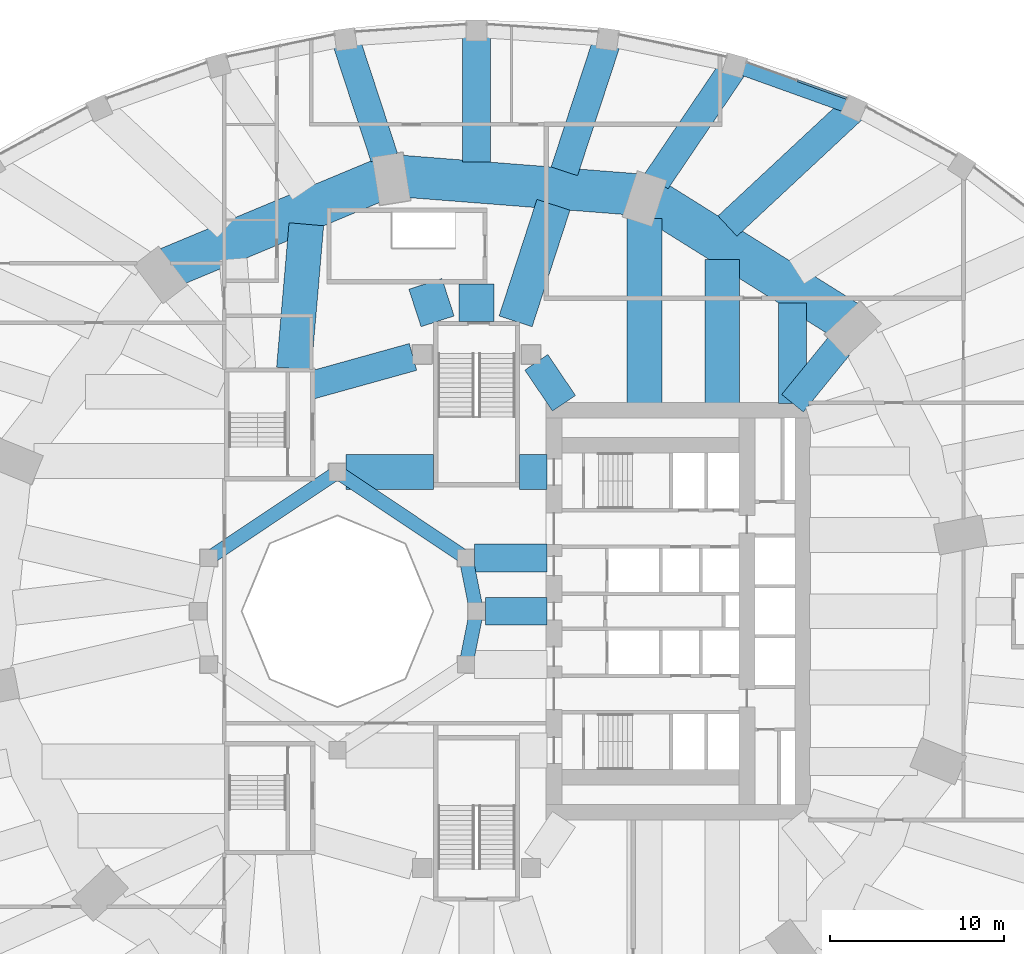
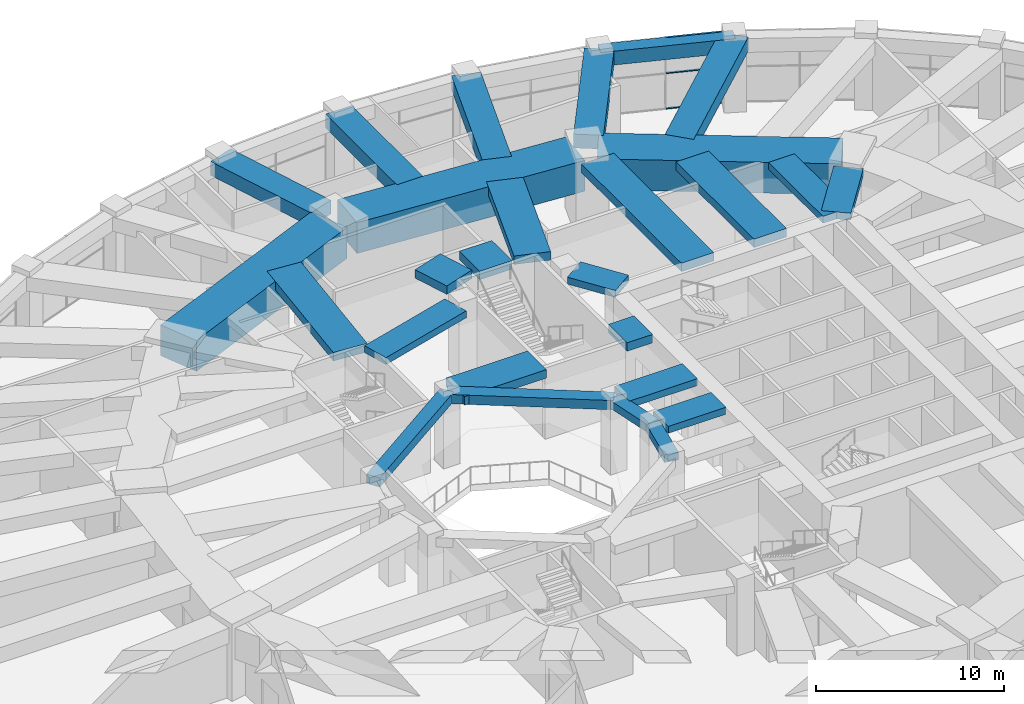
# One storey, part 11 of 30: 27 beams, 3 members, 1 element without a shape of its own.
"""IFC4 building model written with IfcOpenShell, lengths in metres."""

from ifc_helpers import new_model, si_unit, direction, frame, origin, origin_2d, place, context, subcontext, project, spatial, rectangle, extrude, material, material_profile, profile_set, type_object, element, aggregate, save


model = new_model("IFC4")

# Units and contexts
model_context = context("Model", 3, precision=1e-05, world=origin(), true_north=direction((0.0, 1.0)))
body_context = subcontext(model_context, "Body", "Model", "MODEL_VIEW")
ifc_project = project(units=[si_unit("LENGTHUNIT", "METRE"), si_unit("AREAUNIT", "SQUARE_METRE"), si_unit("VOLUMEUNIT", "CUBIC_METRE"), si_unit("PLANEANGLEUNIT", "RADIAN"), si_unit("MASSUNIT", "GRAM", prefix="KILO")], contexts=[model_context])

# Site, building, storey
site_placement = place(None, origin())
site = spatial("IfcSite", under=ifc_project, at=site_placement, CompositionType="ELEMENT")
building_placement = place(site_placement, origin())
building = spatial("IfcBuilding", under=site, at=building_placement, Name="Taillehof Tower", CompositionType="ELEMENT")
storey_placement = place(building_placement, frame((0.0, 0.0, 12.5)))
storey = spatial("IfcBuildingStorey", under=building, at=storey_placement, Name="L02", CompositionType="ELEMENT", Elevation=12.5)

# Beams
ifc_material_1 = material(Name="Concrete C50/60", Category="concrete")
ifc_material_profile_1 = material_profile(ifc_material_1, rectangle(XDim=0.800048828125, YDim=0.5, at=origin_2d()), Name="RC 800x500")
ifc_profile_set_1 = profile_set([ifc_material_profile_1], Name="Concrete C50/60")
beam_type_1 = type_object("IfcBeamType", Name="Atrium ring beam C50/60 800x500", PredefinedType="BEAM", material=ifc_profile_set_1)
for number, where, z_axis, x_axis, name in (
    (1, (0.0, 0.0, 4.39990234375), (-0.195063155143, 0.980790683839, 0.0), (-0.980790683839, -0.195063155143, 0.0), "Atrium ring beam AB01"),
    (2, (-0.60888671875, -3.0615234375, 4.39990234375), (0.195063155143, 0.980790683839, 0.0), (-0.980790683839, 0.195063155143, 0.0), "Atrium ring beam AB08"),
):
    element("IfcBeam", number, at=place(storey_placement, frame(where, z_axis=z_axis, x_axis=x_axis)), inside=storey, type_object=beam_type_1, Name=name, PredefinedType="BEAM", context=body_context, shape_type="SweptSolid", body=[
        extrude(rectangle(XDim=0.800048828125, YDim=0.5, at=origin_2d()), origin(), (0.0, 0.0, 1.0), 3.12158203125),
    ])
ifc_material_2 = material(Name="Concrete C50/60", Category="concrete")
ifc_material_profile_2 = material_profile(ifc_material_2, rectangle(XDim=0.800048828125, YDim=0.60009765625, at=origin_2d()), Name="RC 800x600")
ifc_profile_set_2 = profile_set([ifc_material_profile_2], Name="Concrete C50/60")
beam_type_2 = type_object("IfcBeamType", Name="Atrium ring beam C50/60 800x600", PredefinedType="BEAM", material=ifc_profile_set_2)
for number, where, z_axis, x_axis, name in (
    (3, (-0.60888671875, 3.0615234375, 4.35009765625), (-0.831475195687, 0.555561876804, 0.0), (-0.555561876804, -0.831475195687, 0.0), "Atrium ring beam AB02"),
    (4, (-8.0, 8.0, 4.35009765625), (-0.831475195687, -0.555561876804, 0.0), (0.555561876804, -0.831475195687, 0.0), "Atrium ring beam AB03"),
):
    element("IfcBeam", number, at=place(storey_placement, frame(where, z_axis=z_axis, x_axis=x_axis)), inside=storey, type_object=beam_type_2, Name=name, PredefinedType="BEAM", context=body_context, shape_type="SweptSolid", body=[
        extrude(rectangle(XDim=0.800048828125, YDim=0.60009765625, at=origin_2d()), origin(), (0.0, 0.0, 1.0), 8.88916015625),
    ])
ifc_material_3 = material(Name="Concrete C50/60", Category="concrete")
ifc_material_profile_3 = material_profile(ifc_material_3, rectangle(XDim=0.800048828125, YDim=0.89990234375, at=origin_2d()), Name="RC 800x900")
ifc_profile_set_3 = profile_set([ifc_material_profile_3], Name="Concrete C50/60")
beam_type_3 = type_object("IfcBeamType", Name="Podium edge beam C50/60 800x900", PredefinedType="BEAM", material=ifc_profile_set_3)
beam_1_placement = place(storey_placement, frame((21.699951171875, 28.92529296875, 4.199951171875), z_axis=(-0.941227460002, 0.337773398209, 0.0), x_axis=(-0.337773398209, -0.941227460002, 0.0)))
element("IfcBeam", 5, at=beam_1_placement, inside=storey, type_object=beam_type_3, Name="Podium edge beam PB07", PredefinedType="BEAM", context=body_context, shape_type="SweptSolid", body=[
    extrude(rectangle(XDim=0.800048828125, YDim=0.89990234375, at=origin_2d()), origin(), (0.0, 0.0, 1.0), 7.284423828125),
])
ifc_material_4 = material(Name="Concrete C50/60", Category="concrete")
ifc_material_profile_4 = material_profile(ifc_material_4, rectangle(XDim=1.60009765625, YDim=0.89990234375, at=origin_2d()), Name="RC 1600x900")
ifc_profile_set_4 = profile_set([ifc_material_profile_4], Name="Concrete C50/60")
beam_type_4 = type_object("IfcBeamType", Name="Podium radial beam C50/60 1600x900", PredefinedType="BEAM", material=ifc_profile_set_4)
beam_2_placement = place(storey_placement, frame((21.699951171875, 28.92529296875, 4.199951171875), z_axis=(-0.73162271707, -0.681709762191, 0.0), x_axis=(0.681709762191, -0.73162271707, 0.0)))
element("IfcBeam", 6, at=beam_2_placement, inside=storey, type_object=beam_type_4, Name="Podium radial beam PR07", PredefinedType="BEAM", context=body_context, shape_type="SweptSolid", body=[
    extrude(rectangle(XDim=1.60009765625, YDim=0.89990234375, at=origin_2d()), origin(), (0.0, 0.0, 1.0), 9.939208984375),
])
beam_3_placement = place(storey_placement, frame((14.84375, 31.3857421875, 4.199951171875), z_axis=(-0.560389186036, -0.828229412768, 0.0), x_axis=(0.828229412768, -0.560389186036, 0.0)))
element("IfcBeam", 7, at=beam_3_placement, inside=storey, type_object=beam_type_4, Name="Podium radial beam PR08", PredefinedType="BEAM", context=body_context, shape_type="SweptSolid", body=[
    extrude(rectangle(XDim=1.60009765625, YDim=0.89990234375, at=origin_2d()), origin(), (0.0, 0.0, 1.0), 8.023193359375),
])
beam_4_placement = place(storey_placement, frame((7.536376953125, 32.892578125, 4.199951171875), z_axis=(-0.311458886976, -0.950259628588, 0.0), x_axis=(0.950259628588, -0.311458886976, 0.0)))
element("IfcBeam", 8, at=beam_4_placement, inside=storey, type_object=beam_type_4, Name="Podium radial beam PR09", PredefinedType="BEAM", context=body_context, shape_type="SweptSolid", body=[
    extrude(rectangle(XDim=1.60009765625, YDim=0.89990234375, at=origin_2d()), origin(), (0.0, 0.0, 1.0), 7.992919921875),
])
beam_5_placement = place(storey_placement, frame((0.0, 33.39990234375, 4.199951171875), z_axis=(0.0, -1.0, 0.0), x_axis=(1.0, 0.0, 0.0)))
element("IfcBeam", 9, at=beam_5_placement, inside=storey, type_object=beam_type_4, Name="Podium radial beam PR10", PredefinedType="BEAM", context=body_context, shape_type="SweptSolid", body=[
    extrude(rectangle(XDim=1.60009765625, YDim=0.89990234375, at=origin_2d()), origin(), (0.0, 0.0, 1.0), 7.5771484375),
])
beam_6_placement = place(storey_placement, frame((-7.536376953125, 32.892578125, 4.199951171875), z_axis=(0.311476972049, -0.9502537008, 0.0), x_axis=(0.9502537008, 0.311476972049, 0.0)))
element("IfcBeam", 10, at=beam_6_placement, inside=storey, type_object=beam_type_4, Name="Podium radial beam PR11", PredefinedType="BEAM", context=body_context, shape_type="SweptSolid", body=[
    extrude(rectangle(XDim=1.60009765625, YDim=0.89990234375, at=origin_2d()), origin(), (0.0, 0.0, 1.0), 7.159423828125),
])

# Curtain wall, members
ifc_material_5 = material(Name="Aluminium curtain wall with Clear low-emissivity double glazing", Category="aluminium")
curtain_wall_type = type_object("IfcCurtainWallType", Name="Podium window wall curtain wall", PredefinedType="USERDEFINED", material=ifc_material_5)
curtain_wall_placement = place(storey_placement, origin())
curtain_wall = element("IfcCurtainWall", 11, at=curtain_wall_placement, inside=storey, type_object=curtain_wall_type, Name="Podium window wall L02 bay 7", ObjectType="WINDOW WALL", PredefinedType="USERDEFINED")
ifc_material_6 = material(Name="Aluminium transom", Category="aluminium")
ifc_material_profile_5 = material_profile(ifc_material_6, rectangle(XDim=0.1201171875, YDim=0.06005859375, at=origin_2d()), Name="AL 120x60")
ifc_profile_set_5 = profile_set([ifc_material_profile_5], Name="Aluminium transom")
member_type = type_object("IfcMemberType", Name="Podium window wall transom 120x60", PredefinedType="USERDEFINED", material=ifc_profile_set_5)
member_1_placement = place(storey_placement, frame((21.26806640625, 29.50341796875, 0.030029296875), z_axis=(-0.941215836147, 0.337805787081, 0.0), x_axis=(-0.337805787081, -0.941215836147, 0.0)))
member_1 = element("IfcMember", 12, at=member_1_placement, type_object=member_type, Name="CT207 transom 1.1", ObjectType="TRANSOM", PredefinedType="USERDEFINED", context=body_context, shape_type="SweptSolid", body=[
    extrude(rectangle(XDim=0.1201171875, YDim=0.06005859375, at=origin_2d()), origin(), (0.0, 0.0, 1.0), 3.009521484375),
])
member_2_placement = place(storey_placement, frame((21.26806640625, 29.50341796875, 2.324951171875), z_axis=(-0.941215836147, 0.337805787081, 0.0), x_axis=(-0.337805787081, -0.941215836147, 0.0)))
member_2 = element("IfcMember", 13, at=member_2_placement, type_object=member_type, Name="CT207 transom 1.2", ObjectType="TRANSOM", PredefinedType="USERDEFINED", context=body_context, shape_type="SweptSolid", body=[
    extrude(rectangle(XDim=0.1201171875, YDim=0.06005859375, at=origin_2d()), origin(), (0.0, 0.0, 1.0), 3.009521484375),
])
member_3_placement = place(storey_placement, frame((21.26806640625, 29.50341796875, 4.6201171875), z_axis=(-0.941215836147, 0.337805787081, 0.0), x_axis=(-0.337805787081, -0.941215836147, 0.0)))
member_3 = element("IfcMember", 14, at=member_3_placement, type_object=member_type, Name="CT207 transom 1.3", ObjectType="TRANSOM", PredefinedType="USERDEFINED", context=body_context, shape_type="SweptSolid", body=[
    extrude(rectangle(XDim=0.1201171875, YDim=0.06005859375, at=origin_2d()), origin(), (0.0, 0.0, 1.0), 3.009521484375),
])
aggregate(curtain_wall, [member_1, member_2, member_3])

# Beams
ifc_material_7 = material(Name="Concrete C50/60", Category="concrete")
ifc_material_profile_6 = material_profile(ifc_material_7, rectangle(XDim=1.60009765625, YDim=0.449951171875, at=origin_2d()), Name="RC 1600x450")
ifc_profile_set_6 = profile_set([ifc_material_profile_6], Name="Concrete C50/60")
beam_type_5 = type_object("IfcBeamType", Name="Radial band beam C50/60 1600x450", PredefinedType="BEAM", material=ifc_profile_set_6)
beam_7_placement = place(storey_placement, frame((20.820068359375, 15.221435546875, 4.425048828125), z_axis=(-0.630973107709, -0.775804703098, 0.0), x_axis=(0.775804703098, -0.630973107709, 0.0)))
element("IfcBeam", 15, at=beam_7_placement, inside=storey, type_object=beam_type_5, Name="Radial band beam RB05", PredefinedType="BEAM", context=body_context, shape_type="SweptSolid", body=[
    extrude(rectangle(XDim=1.60009765625, YDim=0.449951171875, at=origin_2d()), origin(), (0.0, 0.0, 1.0), 4.202392578125),
])
beam_8_placement = place(storey_placement, frame((18.15869140625, 17.7333984375, 4.425048828125), z_axis=(0.0, -1.0, 0.0), x_axis=(1.0, 0.0, 0.0)))
element("IfcBeam", 16, at=beam_8_placement, inside=storey, type_object=beam_type_5, Name="Radial band beam RB06", PredefinedType="BEAM", context=body_context, shape_type="SweptSolid", body=[
    extrude(rectangle(XDim=1.60009765625, YDim=0.449951171875, at=origin_2d()), origin(), (0.0, 0.0, 1.0), 5.783447265625),
])
beam_9_placement = place(storey_placement, frame((0.5, 0.0, 4.425048828125), z_axis=(1.0, 0.0, 0.0), x_axis=(0.0, 1.0, 0.0)))
element("IfcBeam", 17, at=beam_9_placement, inside=storey, type_object=beam_type_5, Name="Inner band beam IB101", PredefinedType="BEAM", context=body_context, shape_type="SweptSolid", body=[
    extrude(rectangle(XDim=1.60009765625, YDim=0.449951171875, at=origin_2d()), origin(), (0.0, 0.0, 1.0), 3.550048828125),
])
beam_10_placement = place(storey_placement, frame((-0.10888671875, 3.0615234375, 4.425048828125), z_axis=(1.0, 0.0, 0.0), x_axis=(0.0, 1.0, 0.0)))
element("IfcBeam", 18, at=beam_10_placement, inside=storey, type_object=beam_type_5, Name="Inner band beam IB102", PredefinedType="BEAM", context=body_context, shape_type="SweptSolid", body=[
    extrude(rectangle(XDim=1.60009765625, YDim=0.449951171875, at=origin_2d()), origin(), (0.0, 0.0, 1.0), 4.158935546875),
])
beam_11_placement = place(storey_placement, frame((3.433837890625, 14.31640625, 4.425048828125), z_axis=(0.560112043398, -0.828416862962, 0.0), x_axis=(0.828416862962, 0.560112043398, 0.0)))
element("IfcBeam", 19, at=beam_11_placement, inside=storey, type_object=beam_type_5, Name="Inner band beam IB205", PredefinedType="BEAM", context=body_context, shape_type="SweptSolid", body=[
    extrude(rectangle(XDim=1.60009765625, YDim=0.449951171875, at=origin_2d()), origin(), (0.0, 0.0, 1.0), 2.84619140625),
])
beam_12_placement = place(storey_placement, frame((-3.655517578125, 14.624755859375, 4.425048828125), z_axis=(-0.963459369536, -0.267854518821, 0.0), x_axis=(0.267854518821, -0.963459369536, 0.0)))
element("IfcBeam", 20, at=beam_12_placement, inside=storey, type_object=beam_type_5, Name="Inner band beam IB206", PredefinedType="BEAM", context=body_context, shape_type="SweptSolid", body=[
    extrude(rectangle(XDim=1.60009765625, YDim=0.449951171875, at=origin_2d()), origin(), (0.0, 0.0, 1.0), 6.096923828125),
])
ifc_material_8 = material(Name="Concrete C50/60", Category="concrete")
ifc_material_profile_7 = material_profile(ifc_material_8, rectangle(XDim=2.0, YDim=0.550048828125, at=origin_2d()), Name="RC 2000x550")
ifc_profile_set_7 = profile_set([ifc_material_profile_7], Name="Concrete C50/60")
beam_type_6 = type_object("IfcBeamType", Name="Radial band beam C50/60 2000x550", PredefinedType="BEAM", material=ifc_profile_set_7)
beam_13_placement = place(storey_placement, frame((14.125, 20.23974609375, 4.375), z_axis=(0.0, -1.0, 0.0), x_axis=(1.0, 0.0, 0.0)))
element("IfcBeam", 21, at=beam_13_placement, inside=storey, type_object=beam_type_6, Name="Radial band beam RB07", PredefinedType="BEAM", context=body_context, shape_type="SweptSolid", body=[
    extrude(rectangle(XDim=2.0, YDim=0.550048828125, at=origin_2d()), origin(), (0.0, 0.0, 1.0), 8.289794921875),
])
beam_14_placement = place(storey_placement, frame((9.662109375, 22.5859375, 4.375), z_axis=(0.0, -1.0, 0.0), x_axis=(1.0, 0.0, 0.0)))
element("IfcBeam", 22, at=beam_14_placement, inside=storey, type_object=beam_type_6, Name="Radial band beam RB08", PredefinedType="BEAM", context=body_context, shape_type="SweptSolid", body=[
    extrude(rectangle(XDim=2.0, YDim=0.550048828125, at=origin_2d()), origin(), (0.0, 0.0, 1.0), 10.635986328125),
])
beam_15_placement = place(storey_placement, frame((4.420166015625, 23.372314453125, 4.375), z_axis=(-0.309016354493, -0.951056724205, 0.0), x_axis=(0.951056724205, -0.309016354493, 0.0)))
element("IfcBeam", 23, at=beam_15_placement, inside=storey, type_object=beam_type_6, Name="Radial band beam RB09", PredefinedType="BEAM", context=body_context, shape_type="SweptSolid", body=[
    extrude(rectangle(XDim=2.0, YDim=0.550048828125, at=origin_2d()), origin(), (0.0, 0.0, 1.0), 7.04736328125),
])
beam_16_placement = place(storey_placement, frame((0.0, 18.824951171875, 4.375), z_axis=(0.0, -1.0, 0.0), x_axis=(1.0, 0.0, 0.0)))
element("IfcBeam", 24, at=beam_16_placement, inside=storey, type_object=beam_type_6, Name="Radial band beam RB10", PredefinedType="BEAM", context=body_context, shape_type="SweptSolid", body=[
    extrude(rectangle(XDim=2.0, YDim=0.550048828125, at=origin_2d()), origin(), (0.0, 0.0, 1.0), 2.155029296875),
])
beam_17_placement = place(storey_placement, frame((-2.942626953125, 18.824951171875, 4.375), z_axis=(0.309010546837, -0.951058611203, 0.0), x_axis=(0.951058611203, 0.309010546837, 0.0)))
element("IfcBeam", 25, at=beam_17_placement, inside=storey, type_object=beam_type_6, Name="Radial band beam RB11", PredefinedType="BEAM", context=body_context, shape_type="SweptSolid", body=[
    extrude(rectangle(XDim=2.0, YDim=0.550048828125, at=origin_2d()), origin(), (0.0, 0.0, 1.0), 2.265869140625),
])
beam_18_placement = place(storey_placement, frame((-9.7890625, 22.25341796875, 4.375), z_axis=(-0.085833193134, -0.996309521663, 0.0), x_axis=(0.996309521663, -0.085833193134, 0.0)))
element("IfcBeam", 26, at=beam_18_placement, inside=storey, type_object=beam_type_6, Name="Radial band beam RB12", PredefinedType="BEAM", context=body_context, shape_type="SweptSolid", body=[
    extrude(rectangle(XDim=2.0, YDim=0.550048828125, at=origin_2d()), origin(), (0.0, 0.0, 1.0), 8.333984375),
])
beam_19_placement = place(storey_placement, frame((-7.5, 8.0, 4.375), z_axis=(1.0, 0.0, 0.0), x_axis=(0.0, 1.0, 0.0)))
element("IfcBeam", 27, at=beam_19_placement, inside=storey, type_object=beam_type_6, Name="Inner band beam IB105", PredefinedType="BEAM", context=body_context, shape_type="SweptSolid", body=[
    extrude(rectangle(XDim=2.0, YDim=0.550048828125, at=origin_2d()), origin(), (0.0, 0.0, 1.0), 5.02490234375),
])
beam_20_placement = place(storey_placement, frame((2.47509765625, 8.0, 4.375), z_axis=(1.0, 0.0, 0.0), x_axis=(0.0, 1.0, 0.0)))
element("IfcBeam", 28, at=beam_20_placement, inside=storey, type_object=beam_type_6, Name="Inner band beam IB105", PredefinedType="BEAM", context=body_context, shape_type="SweptSolid", body=[
    extrude(rectangle(XDim=2.0, YDim=0.550048828125, at=origin_2d()), origin(), (0.0, 0.0, 1.0), 1.574951171875),
])
ifc_material_9 = material(Name="Concrete C80/95", Category="concrete")
ifc_material_profile_8 = material_profile(ifc_material_9, rectangle(XDim=2.39990234375, YDim=2.0, at=origin_2d()), Name="RC 2400x2000")
ifc_profile_set_8 = profile_set([ifc_material_profile_8], Name="Concrete C80/95")
beam_type_7 = type_object("IfcBeamType", Name="Transfer girder C80/95 2400x2000", PredefinedType="BEAM", material=ifc_profile_set_8)
beam_21_placement = place(storey_placement, frame((21.275390625, 16.69482421875, 3.64990234375), z_axis=(-0.847669991023, 0.530523879122, 0.0), x_axis=(-0.530523879122, -0.847669991023, 0.0)))
element("IfcBeam", 29, at=beam_21_placement, inside=storey, type_object=beam_type_7, Name="Transfer girder TG02", PredefinedType="BEAM", context=body_context, shape_type="SweptSolid", body=[
    extrude(rectangle(XDim=2.39990234375, YDim=2.0, at=origin_2d()), origin(), (0.0, 0.0, 1.0), 12.9990234375),
])
beam_22_placement = place(storey_placement, frame((9.096435546875, 23.97216796875, 3.64990234375), z_axis=(-0.996956696893, 0.077957324999, 0.0), x_axis=(-0.077957324999, -0.996956696893, 0.0)))
element("IfcBeam", 30, at=beam_22_placement, inside=storey, type_object=beam_type_7, Name="Transfer girder TG03", PredefinedType="BEAM", context=body_context, shape_type="SweptSolid", body=[
    extrude(rectangle(XDim=2.39990234375, YDim=2.0, at=origin_2d()), origin(), (0.0, 0.0, 1.0), 13.444580078125),
])
beam_23_placement = place(storey_placement, frame((-5.521484375, 24.826416015625, 3.64990234375), z_axis=(-0.923034252673, -0.384717777588, 0.0), x_axis=(0.384717777588, -0.923034252673, 0.0)))
element("IfcBeam", 31, at=beam_23_placement, inside=storey, type_object=beam_type_7, Name="Transfer girder TG04", PredefinedType="BEAM", context=body_context, shape_type="SweptSolid", body=[
    extrude(rectangle(XDim=2.39990234375, YDim=2.0, at=origin_2d()), origin(), (0.0, 0.0, 1.0), 13.205322265625),
])

save(model, "model.ifc")
